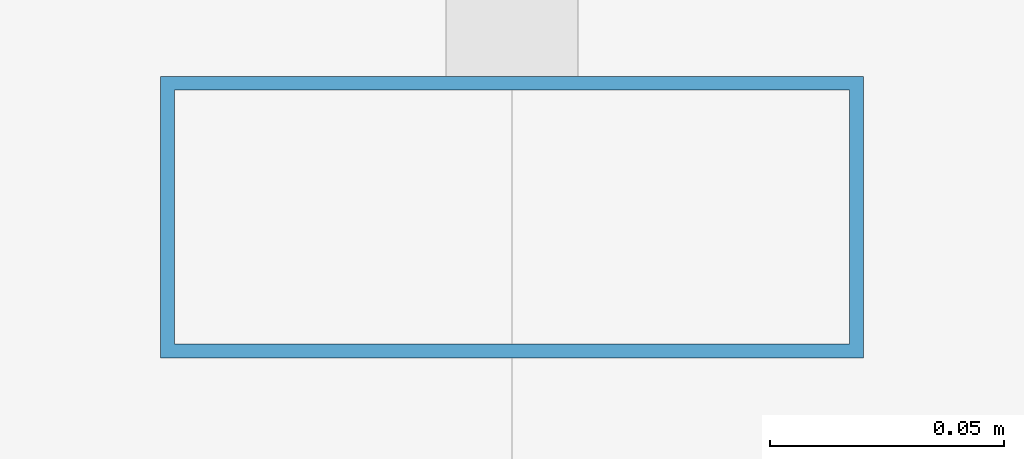
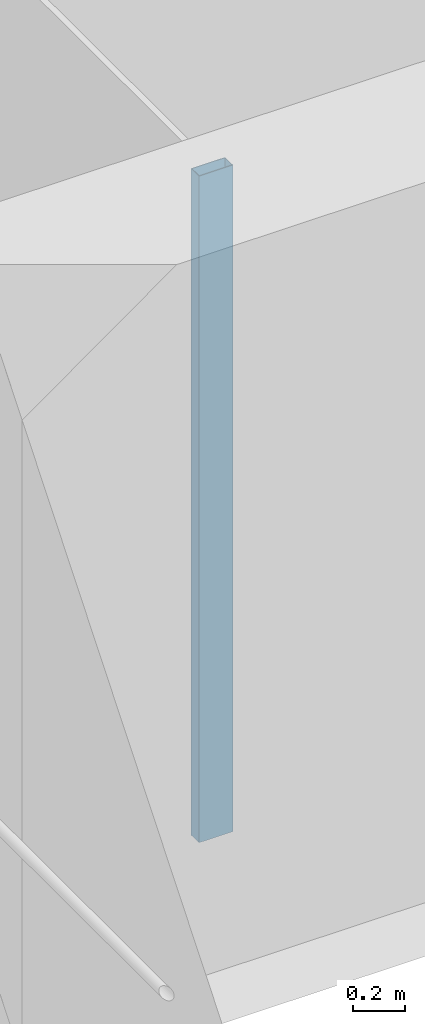
# One storey, part 11 of 47: 1 member, 1 element without a shape of its own.
"""IFC4 building model written with IfcOpenShell, lengths in metres."""

from ifc_helpers import new_model, si_unit, direction, frame, origin, origin_2d, place, context, subcontext, project, spatial, hollow_rectangle, extrude, material, material_profile, profile_set, type_object, element, aggregate, save


model = new_model("IFC4")

# Units and contexts
model_context = context("Model", 3, precision=1e-05, world=origin(), true_north=direction((0.0, 1.0)))
body_context = subcontext(model_context, "Body", "Model", "MODEL_VIEW")
ifc_project = project(units=[si_unit("LENGTHUNIT", "METRE"), si_unit("AREAUNIT", "SQUARE_METRE"), si_unit("VOLUMEUNIT", "CUBIC_METRE"), si_unit("PLANEANGLEUNIT", "RADIAN"), si_unit("MASSUNIT", "GRAM", prefix="KILO")], contexts=[model_context])

# Site, building, storey
site_placement = place(None, origin())
site = spatial("IfcSite", under=ifc_project, at=site_placement, CompositionType="ELEMENT")
building_placement = place(site_placement, origin())
building = spatial("IfcBuilding", under=site, at=building_placement, Name="Altepetl Exchange Towers", CompositionType="ELEMENT")
storey_placement = place(building_placement, frame((0.0, 0.0, 99.199951171875)))
storey = spatial("IfcBuildingStorey", under=building, at=storey_placement, Name="L24", CompositionType="ELEMENT", Elevation=99.199951171875)

# Curtain wall, member
ifc_material_1 = material(Name="Aluminium 6063-T6 glazing", Category="aluminium")
curtain_wall_type = type_object("IfcCurtainWallType", Name="Loggia glazing system", PredefinedType="NOTDEFINED", material=ifc_material_1)
curtain_wall_placement = place(storey_placement, origin())
curtain_wall = element("IfcCurtainWall", 1, at=curtain_wall_placement, inside=storey, type_object=curtain_wall_type, Name="CW1 run", PredefinedType="NOTDEFINED")
ifc_material_2 = material(Name="Aluminium 6063-T6", Category="aluminium")
ifc_material_profile = material_profile(ifc_material_2, hollow_rectangle(XDim=0.06005859375, YDim=0.14990234375, WallThickness=0.0029296875, at=origin_2d()), Name="Mullion 60x150 aluminium")
ifc_profile_set = profile_set([ifc_material_profile], Name="Aluminium 6063-T6")
member_type = type_object("IfcMemberType", Name="Mullion 60x150 aluminium", PredefinedType="MULLION", material=ifc_profile_set)
member_placement = place(storey_placement, frame((42.5, 58.60498046875, 0.0), z_axis=(0.0, 0.0, 1.0), x_axis=(0.0, -1.0, 0.0)))
member = element("IfcMember", 2, at=member_placement, type_object=member_type, Name="MU1 mullion", PredefinedType="MULLION", context=body_context, shape_type="SweptSolid", body=[
    extrude(hollow_rectangle(XDim=0.06005859375, YDim=0.14990234375, WallThickness=0.0029296875, at=origin_2d()), origin(), (0.0, 0.0, 1.0), 3.10009765625),
])
aggregate(curtain_wall, [member])

save(model, "model.ifc")
